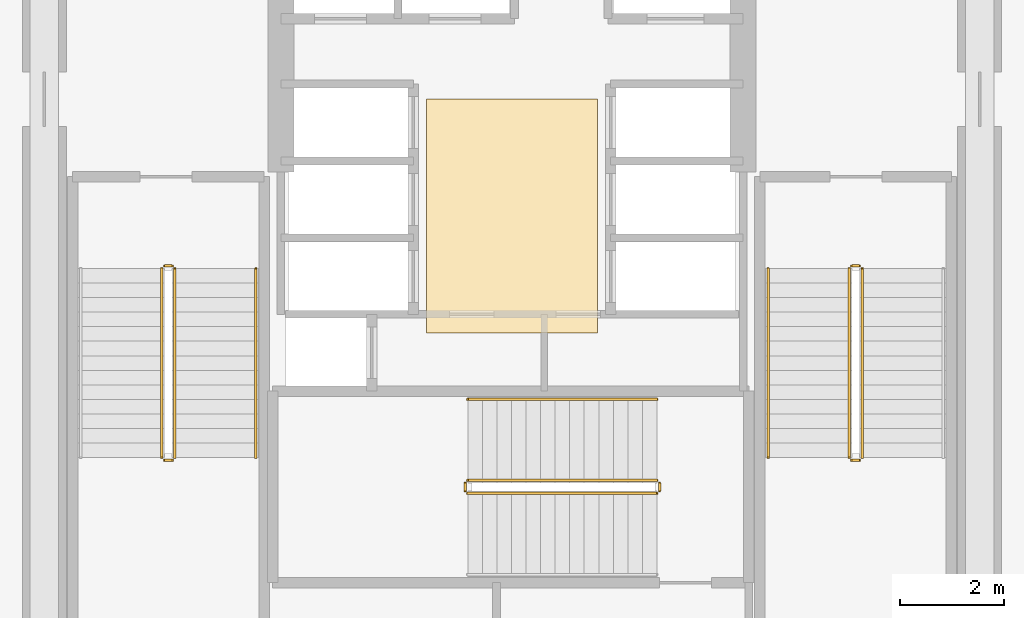
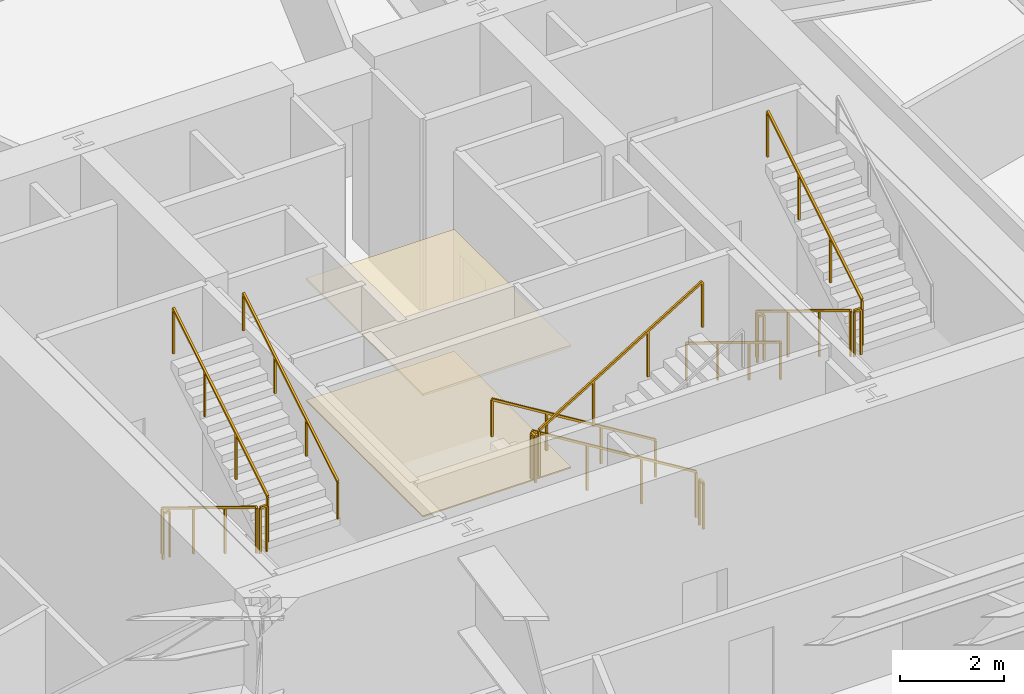
# One storey, part 21 of 22: 15 railings, 2 coverings.
"""IFC4 building model written with IfcOpenShell, lengths in metres."""

from ifc_helpers import new_model, si_unit, direction, frame, origin, origin_2d, place, context, subcontext, project, spatial, polyline, rectangle, outline, extrude, material, layer, layer_set, type_object, element, save


model = new_model("IFC4")

# Units and contexts
model_context = context("Model", 3, precision=1e-05, world=origin(), true_north=direction((0.0, 1.0)))
body_context = subcontext(model_context, "Body", "Model", "MODEL_VIEW")
ifc_project = project(units=[si_unit("LENGTHUNIT", "METRE"), si_unit("AREAUNIT", "SQUARE_METRE"), si_unit("VOLUMEUNIT", "CUBIC_METRE"), si_unit("PLANEANGLEUNIT", "RADIAN"), si_unit("MASSUNIT", "GRAM", prefix="KILO")], contexts=[model_context])

# Site, building, storey
site_placement = place(None, origin())
site = spatial("IfcSite", under=ifc_project, at=site_placement, CompositionType="ELEMENT")
building_placement = place(site_placement, origin())
building = spatial("IfcBuilding", under=site, at=building_placement, Name="Kilnhurst Terrace Hotel", CompositionType="ELEMENT")
storey_placement = place(building_placement, frame((0.0, 0.0, 139.5)))
storey = spatial("IfcBuildingStorey", under=building, at=storey_placement, Name="L34", CompositionType="ELEMENT", Elevation=139.5)

# Coverings
ifc_material_1 = material(Name="Perforated Micro-Acoustic Gypsum and Mineral Wool Ceiling")
ifc_layer_1 = layer(ifc_material_1, 0.050048828125, Name="Perforated Micro-Acoustic Gypsum and Mineral Wool Ceiling")
ifc_layer_set_1 = layer_set([ifc_layer_1], Name="Perforated Micro-Acoustic Gypsum and Mineral Wool Ceiling")
covering_type_1 = type_object("IfcCoveringType", Name="COV-CLG-AC60", PredefinedType="CEILING", material=ifc_layer_set_1)
covering_1_placement = place(storey_placement, frame((0.0, 0.0, 2.85009765625)))
element("IfcCovering", 1, at=covering_1_placement, inside=storey, type_object=covering_type_1, Name="L34 Lift Lobby Suspended Acoustic Ceiling", PredefinedType="CEILING", context=body_context, shape_type="SweptSolid", body=[
    extrude(outline(polyline([(-1.64990234375, -0.85009765625), (1.64990234375, -0.85009765625), (1.64990234375, 3.64990234375), (-1.64990234375, 3.64990234375), (-1.64990234375, -0.85009765625)])), origin(), (0.0, 0.0, 1.0), 0.0498046875),
])
ifc_material_2 = material(Name="Honed Texas Cream Limestone Tile Flooring", Category="masonry")
ifc_layer_2 = layer(ifc_material_2, 0.030029296875, Name="Honed Texas Cream Limestone Tile Flooring")
ifc_layer_set_2 = layer_set([ifc_layer_2], Name="Honed Texas Cream Limestone Tile Flooring")
covering_type_2 = type_object("IfcCoveringType", Name="COV-FLR-STN30", PredefinedType="FLOORING", material=ifc_layer_set_2)
covering_2_placement = place(storey_placement, origin())
element("IfcCovering", 2, at=covering_2_placement, inside=storey, type_object=covering_type_2, Name="L34 Lift Lobby Honed Limestone Flooring", PredefinedType="FLOORING", context=body_context, shape_type="SweptSolid", body=[
    extrude(outline(polyline([(-1.64990234375, -0.85009765625), (1.64990234375, -0.85009765625), (1.64990234375, 3.64990234375), (-1.64990234375, 3.64990234375), (-1.64990234375, -0.85009765625)])), origin(), (0.0, 0.0, 1.0), 0.030029296875),
])

# Railings
ifc_material_3 = material(Name="Powder-Coated Steel ASTM A500 Grade B", Category="steel")
ifc_layer_3 = layer(ifc_material_3, 0.050048828125, Name="Powder-Coated Steel ASTM A500 Grade B")
ifc_layer_set_3 = layer_set([ifc_layer_3], Name="Powder-Coated Steel ASTM A500 Grade B")
railing_type_1 = type_object("IfcRailingType", Name="RLG-ST-GRD-1100", PredefinedType="GUARDRAIL", material=ifc_layer_set_3)
railing_1_placement = place(storey_placement, frame((-6.739990234375, 0.389892578125, 0.17138671875)))
element("IfcRailing", 3, at=railing_1_placement, inside=storey, type_object=railing_type_1, Name="L34 ST-1 stair guard 1", PredefinedType="GUARDRAIL", context=body_context, shape_type="SweptSolid", body=[
    extrude(rectangle(XDim=0.048095703125, YDim=0.048095703125, at=origin_2d()), frame((0.0, 0.0, 1.076171875), z_axis=(0.0, -0.852850264322, 0.5221555579), x_axis=(1.0, 0.0, 0.0)), (0.0, 0.0, 1.0), 4.267822265625),
    extrude(rectangle(XDim=0.0419921875, YDim=0.0419921875, at=origin_2d()), origin(), (0.0, 0.0, 1.0), 1.052001953125),
    extrude(rectangle(XDim=0.0419921875, YDim=0.0419921875, at=origin_2d()), frame((0.0, -1.21337890625, 0.742919921875)), (0.0, 0.0, 1.0), 1.052001953125),
    extrude(rectangle(XDim=0.0419921875, YDim=0.0419921875, at=origin_2d()), frame((0.0, -2.426513671875, 1.485595703125)), (0.0, 0.0, 1.0), 1.052001953125),
    extrude(rectangle(XDim=0.0419921875, YDim=0.0419921875, at=origin_2d()), frame((0.0, -3.639892578125, 2.228515625)), (0.0, 0.0, 1.0), 1.052001953125),
])
railing_2_placement = place(storey_placement, frame((-6.68994140625, -3.300048828125, 2.39990234375)))
element("IfcRailing", 4, at=railing_2_placement, inside=storey, type_object=railing_type_1, Name="L34 ST-1 stair guard 2", PredefinedType="GUARDRAIL", context=body_context, shape_type="SweptSolid", body=[
    extrude(rectangle(XDim=0.048095703125, YDim=0.048095703125, at=origin_2d()), frame((0.0, 0.0, 1.076171875), z_axis=(1.0, 0.0, 0.0), x_axis=(0.0, 1.0, 0.0)), (0.0, 0.0, 1.0), 0.14990234375),
    extrude(rectangle(XDim=0.0419921875, YDim=0.0419921875, at=origin_2d()), origin(), (0.0, 0.0, 1.0), 1.052001953125),
    extrude(rectangle(XDim=0.0419921875, YDim=0.0419921875, at=origin_2d()), frame((0.14990234375, 0.0, 0.0)), (0.0, 0.0, 1.0), 1.052001953125),
])
railing_3_placement = place(storey_placement, frame((-6.489990234375, -3.25, 2.571533203125)))
element("IfcRailing", 5, at=railing_3_placement, inside=storey, type_object=railing_type_1, Name="L34 ST-1 stair guard 3", PredefinedType="GUARDRAIL", context=body_context, shape_type="SweptSolid", body=[
    extrude(rectangle(XDim=0.048095703125, YDim=0.048095703125, at=origin_2d()), frame((0.0, 0.0, 1.076171875), z_axis=(0.0, 0.852850264322, 0.5221555579), x_axis=(-1.0, 0.0, 0.0)), (0.0, 0.0, 1.0), 4.267822265625),
    extrude(rectangle(XDim=0.0419921875, YDim=0.0419921875, at=origin_2d()), origin(), (0.0, 0.0, 1.0), 1.052001953125),
    extrude(rectangle(XDim=0.0419921875, YDim=0.0419921875, at=origin_2d()), frame((0.0, 1.21337890625, 0.742919921875)), (0.0, 0.0, 1.0), 1.052001953125),
    extrude(rectangle(XDim=0.0419921875, YDim=0.0419921875, at=origin_2d()), frame((0.0, 2.426513671875, 1.485595703125)), (0.0, 0.0, 1.0), 1.052001953125),
    extrude(rectangle(XDim=0.0419921875, YDim=0.0419921875, at=origin_2d()), frame((0.0, 3.639892578125, 2.228515625)), (0.0, 0.0, 1.0), 1.052001953125),
])
railing_4_placement = place(storey_placement, frame((-6.68994140625, 0.43994140625, 0.0)))
element("IfcRailing", 6, at=railing_4_placement, inside=storey, type_object=railing_type_1, Name="L34 ST-1 stair guard 4", PredefinedType="GUARDRAIL", context=body_context, shape_type="SweptSolid", body=[
    extrude(rectangle(XDim=0.048095703125, YDim=0.048095703125, at=origin_2d()), frame((0.0, 0.0, 1.076171875), z_axis=(1.0, 0.0, 0.0), x_axis=(0.0, 1.0, 0.0)), (0.0, 0.0, 1.0), 0.14990234375),
    extrude(rectangle(XDim=0.0419921875, YDim=0.0419921875, at=origin_2d()), origin(), (0.0, 0.0, 1.0), 1.052001953125),
    extrude(rectangle(XDim=0.0419921875, YDim=0.0419921875, at=origin_2d()), frame((0.14990234375, 0.0, 0.0)), (0.0, 0.0, 1.0), 1.052001953125),
])
railing_5_placement = place(storey_placement, frame((6.489990234375, 0.389892578125, 0.17138671875)))
element("IfcRailing", 7, at=railing_5_placement, inside=storey, type_object=railing_type_1, Name="L34 ST-2 stair guard 1", PredefinedType="GUARDRAIL", context=body_context, shape_type="SweptSolid", body=[
    extrude(rectangle(XDim=0.048095703125, YDim=0.048095703125, at=origin_2d()), frame((0.0, 0.0, 1.076171875), z_axis=(0.0, -0.852850264322, 0.5221555579), x_axis=(1.0, 0.0, 0.0)), (0.0, 0.0, 1.0), 4.267822265625),
    extrude(rectangle(XDim=0.0419921875, YDim=0.0419921875, at=origin_2d()), origin(), (0.0, 0.0, 1.0), 1.052001953125),
    extrude(rectangle(XDim=0.0419921875, YDim=0.0419921875, at=origin_2d()), frame((0.0, -1.21337890625, 0.742919921875)), (0.0, 0.0, 1.0), 1.052001953125),
    extrude(rectangle(XDim=0.0419921875, YDim=0.0419921875, at=origin_2d()), frame((0.0, -2.426513671875, 1.485595703125)), (0.0, 0.0, 1.0), 1.052001953125),
    extrude(rectangle(XDim=0.0419921875, YDim=0.0419921875, at=origin_2d()), frame((0.0, -3.639892578125, 2.228515625)), (0.0, 0.0, 1.0), 1.052001953125),
])
railing_6_placement = place(storey_placement, frame((6.5400390625, -3.300048828125, 2.39990234375)))
element("IfcRailing", 8, at=railing_6_placement, inside=storey, type_object=railing_type_1, Name="L34 ST-2 stair guard 2", PredefinedType="GUARDRAIL", context=body_context, shape_type="SweptSolid", body=[
    extrude(rectangle(XDim=0.048095703125, YDim=0.048095703125, at=origin_2d()), frame((0.0, 0.0, 1.076171875), z_axis=(1.0, 0.0, 0.0), x_axis=(0.0, 1.0, 0.0)), (0.0, 0.0, 1.0), 0.14990234375),
    extrude(rectangle(XDim=0.0419921875, YDim=0.0419921875, at=origin_2d()), origin(), (0.0, 0.0, 1.0), 1.052001953125),
    extrude(rectangle(XDim=0.0419921875, YDim=0.0419921875, at=origin_2d()), frame((0.14990234375, 0.0, 0.0)), (0.0, 0.0, 1.0), 1.052001953125),
])
railing_7_placement = place(storey_placement, frame((6.739990234375, -3.25, 2.571533203125)))
element("IfcRailing", 9, at=railing_7_placement, inside=storey, type_object=railing_type_1, Name="L34 ST-2 stair guard 3", PredefinedType="GUARDRAIL", context=body_context, shape_type="SweptSolid", body=[
    extrude(rectangle(XDim=0.048095703125, YDim=0.048095703125, at=origin_2d()), frame((0.0, 0.0, 1.076171875), z_axis=(0.0, 0.852850264322, 0.5221555579), x_axis=(-1.0, 0.0, 0.0)), (0.0, 0.0, 1.0), 4.267822265625),
    extrude(rectangle(XDim=0.0419921875, YDim=0.0419921875, at=origin_2d()), origin(), (0.0, 0.0, 1.0), 1.052001953125),
    extrude(rectangle(XDim=0.0419921875, YDim=0.0419921875, at=origin_2d()), frame((0.0, 1.21337890625, 0.742919921875)), (0.0, 0.0, 1.0), 1.052001953125),
    extrude(rectangle(XDim=0.0419921875, YDim=0.0419921875, at=origin_2d()), frame((0.0, 2.426513671875, 1.485595703125)), (0.0, 0.0, 1.0), 1.052001953125),
    extrude(rectangle(XDim=0.0419921875, YDim=0.0419921875, at=origin_2d()), frame((0.0, 3.639892578125, 2.228515625)), (0.0, 0.0, 1.0), 1.052001953125),
])
railing_8_placement = place(storey_placement, frame((6.5400390625, 0.43994140625, 0.0)))
element("IfcRailing", 10, at=railing_8_placement, inside=storey, type_object=railing_type_1, Name="L34 ST-2 stair guard 4", PredefinedType="GUARDRAIL", context=body_context, shape_type="SweptSolid", body=[
    extrude(rectangle(XDim=0.048095703125, YDim=0.048095703125, at=origin_2d()), frame((0.0, 0.0, 1.076171875), z_axis=(1.0, 0.0, 0.0), x_axis=(0.0, 1.0, 0.0)), (0.0, 0.0, 1.0), 0.14990234375),
    extrude(rectangle(XDim=0.0419921875, YDim=0.0419921875, at=origin_2d()), origin(), (0.0, 0.0, 1.0), 1.052001953125),
    extrude(rectangle(XDim=0.0419921875, YDim=0.0419921875, at=origin_2d()), frame((0.14990234375, 0.0, 0.0)), (0.0, 0.0, 1.0), 1.052001953125),
])
railing_9_placement = place(storey_placement, frame((2.7900390625, -3.68994140625, 0.17138671875)))
element("IfcRailing", 11, at=railing_9_placement, inside=storey, type_object=railing_type_1, Name="L34 ST-3 stair guard 1", PredefinedType="GUARDRAIL", context=body_context, shape_type="SweptSolid", body=[
    extrude(rectangle(XDim=0.048095703125, YDim=0.048095703125, at=origin_2d()), frame((0.0, 0.0, 1.076171875), z_axis=(-0.852865859571, 0.0, 0.52213008492), x_axis=(0.0, -1.0, 0.0)), (0.0, 0.0, 1.0), 4.26806640625),
    extrude(rectangle(XDim=0.0419921875, YDim=0.0419921875, at=origin_2d()), origin(), (0.0, 0.0, 1.0), 1.052001953125),
    extrude(rectangle(XDim=0.0419921875, YDim=0.0419921875, at=origin_2d()), frame((-1.21337890625, 0.0, 0.742919921875)), (0.0, 0.0, 1.0), 1.052001953125),
    extrude(rectangle(XDim=0.0419921875, YDim=0.0419921875, at=origin_2d()), frame((-2.4267578125, 0.0, 1.485595703125)), (0.0, 0.0, 1.0), 1.052001953125),
    extrude(rectangle(XDim=0.0419921875, YDim=0.0419921875, at=origin_2d()), frame((-3.64013671875, 0.0, 2.228515625)), (0.0, 0.0, 1.0), 1.052001953125),
])
railing_10_placement = place(storey_placement, frame((-0.89990234375, -3.739990234375, 2.39990234375)))
element("IfcRailing", 12, at=railing_10_placement, inside=storey, type_object=railing_type_1, Name="L34 ST-3 stair guard 2", PredefinedType="GUARDRAIL", context=body_context, shape_type="SweptSolid", body=[
    extrude(rectangle(XDim=0.048095703125, YDim=0.048095703125, at=origin_2d()), frame((0.0, 0.0, 1.076171875), z_axis=(0.0, -1.0, 0.0), x_axis=(1.0, 0.0, 0.0)), (0.0, 0.0, 1.0), 0.14990234375),
    extrude(rectangle(XDim=0.0419921875, YDim=0.0419921875, at=origin_2d()), origin(), (0.0, 0.0, 1.0), 1.052001953125),
    extrude(rectangle(XDim=0.0419921875, YDim=0.0419921875, at=origin_2d()), frame((0.0, -0.14990234375, 0.0)), (0.0, 0.0, 1.0), 1.052001953125),
])
railing_11_placement = place(storey_placement, frame((-0.85009765625, -3.93994140625, 2.571533203125)))
element("IfcRailing", 13, at=railing_11_placement, inside=storey, type_object=railing_type_1, Name="L34 ST-3 stair guard 3", PredefinedType="GUARDRAIL", context=body_context, shape_type="SweptSolid", body=[
    extrude(rectangle(XDim=0.048095703125, YDim=0.048095703125, at=origin_2d()), frame((0.0, 0.0, 1.076171875), z_axis=(0.852865859571, 0.0, 0.52213008492), x_axis=(0.0, 1.0, 0.0)), (0.0, 0.0, 1.0), 4.26806640625),
    extrude(rectangle(XDim=0.0419921875, YDim=0.0419921875, at=origin_2d()), origin(), (0.0, 0.0, 1.0), 1.052001953125),
    extrude(rectangle(XDim=0.0419921875, YDim=0.0419921875, at=origin_2d()), frame((1.21337890625, 0.0, 0.742919921875)), (0.0, 0.0, 1.0), 1.052001953125),
    extrude(rectangle(XDim=0.0419921875, YDim=0.0419921875, at=origin_2d()), frame((2.4267578125, 0.0, 1.485595703125)), (0.0, 0.0, 1.0), 1.052001953125),
    extrude(rectangle(XDim=0.0419921875, YDim=0.0419921875, at=origin_2d()), frame((3.64013671875, 0.0, 2.228515625)), (0.0, 0.0, 1.0), 1.052001953125),
])
railing_12_placement = place(storey_placement, frame((2.840087890625, -3.739990234375, 0.0)))
element("IfcRailing", 14, at=railing_12_placement, inside=storey, type_object=railing_type_1, Name="L34 ST-3 stair guard 4", PredefinedType="GUARDRAIL", context=body_context, shape_type="SweptSolid", body=[
    extrude(rectangle(XDim=0.048095703125, YDim=0.048095703125, at=origin_2d()), frame((0.0, 0.0, 1.076171875), z_axis=(0.0, -1.0, 0.0), x_axis=(1.0, 0.0, 0.0)), (0.0, 0.0, 1.0), 0.14990234375),
    extrude(rectangle(XDim=0.0419921875, YDim=0.0419921875, at=origin_2d()), origin(), (0.0, 0.0, 1.0), 1.052001953125),
    extrude(rectangle(XDim=0.0419921875, YDim=0.0419921875, at=origin_2d()), frame((0.0, -0.14990234375, 0.0)), (0.0, 0.0, 1.0), 1.052001953125),
])
ifc_material_4 = material(Name="Brushed Stainless Steel AISI 304", Category="steel")
ifc_layer_4 = layer(ifc_material_4, 0.048095703125, Name="Brushed Stainless Steel AISI 304")
ifc_layer_set_4 = layer_set([ifc_layer_4], Name="Brushed Stainless Steel AISI 304")
railing_type_2 = type_object("IfcRailingType", Name="RLG-ST-HRL-900", PredefinedType="HANDRAIL", material=ifc_layer_set_4)
railing_13_placement = place(storey_placement, frame((-4.929931640625, -3.25, 2.571533203125)))
element("IfcRailing", 15, at=railing_13_placement, inside=storey, type_object=railing_type_2, Name="L34 ST-1 stair handrail 2", PredefinedType="HANDRAIL", context=body_context, shape_type="SweptSolid", body=[
    extrude(rectangle(XDim=0.048095703125, YDim=0.048095703125, at=origin_2d()), frame((0.0, 0.0, 0.8759765625), z_axis=(0.0, 0.852850264322, 0.5221555579), x_axis=(-1.0, 0.0, 0.0)), (0.0, 0.0, 1.0), 4.267822265625),
    extrude(rectangle(XDim=0.0419921875, YDim=0.0419921875, at=origin_2d()), origin(), (0.0, 0.0, 1.0), 0.851806640625),
    extrude(rectangle(XDim=0.0419921875, YDim=0.0419921875, at=origin_2d()), frame((0.0, 1.21337890625, 0.742919921875)), (0.0, 0.0, 1.0), 0.851806640625),
    extrude(rectangle(XDim=0.0419921875, YDim=0.0419921875, at=origin_2d()), frame((0.0, 2.426513671875, 1.485595703125)), (0.0, 0.0, 1.0), 0.851806640625),
    extrude(rectangle(XDim=0.0419921875, YDim=0.0419921875, at=origin_2d()), frame((0.0, 3.639892578125, 2.228515625)), (0.0, 0.0, 1.0), 0.851806640625),
])
railing_14_placement = place(storey_placement, frame((4.929931640625, 0.389892578125, 0.17138671875)))
element("IfcRailing", 16, at=railing_14_placement, inside=storey, type_object=railing_type_2, Name="L34 ST-2 stair handrail 1", PredefinedType="HANDRAIL", context=body_context, shape_type="SweptSolid", body=[
    extrude(rectangle(XDim=0.048095703125, YDim=0.048095703125, at=origin_2d()), frame((0.0, 0.0, 0.8759765625), z_axis=(0.0, -0.852850264322, 0.5221555579), x_axis=(1.0, 0.0, 0.0)), (0.0, 0.0, 1.0), 4.267822265625),
    extrude(rectangle(XDim=0.0419921875, YDim=0.0419921875, at=origin_2d()), origin(), (0.0, 0.0, 1.0), 0.851806640625),
    extrude(rectangle(XDim=0.0419921875, YDim=0.0419921875, at=origin_2d()), frame((0.0, -1.21337890625, 0.742919921875)), (0.0, 0.0, 1.0), 0.851806640625),
    extrude(rectangle(XDim=0.0419921875, YDim=0.0419921875, at=origin_2d()), frame((0.0, -2.426513671875, 1.485595703125)), (0.0, 0.0, 1.0), 0.851806640625),
    extrude(rectangle(XDim=0.0419921875, YDim=0.0419921875, at=origin_2d()), frame((0.0, -3.639892578125, 2.228515625)), (0.0, 0.0, 1.0), 0.851806640625),
])
railing_15_placement = place(storey_placement, frame((2.7900390625, -2.1298828125, 0.17138671875)))
element("IfcRailing", 17, at=railing_15_placement, inside=storey, type_object=railing_type_2, Name="L34 ST-3 stair handrail 1", PredefinedType="HANDRAIL", context=body_context, shape_type="SweptSolid", body=[
    extrude(rectangle(XDim=0.048095703125, YDim=0.048095703125, at=origin_2d()), frame((0.0, 0.0, 0.8759765625), z_axis=(-0.852865859571, 0.0, 0.52213008492), x_axis=(0.0, -1.0, 0.0)), (0.0, 0.0, 1.0), 4.26806640625),
    extrude(rectangle(XDim=0.0419921875, YDim=0.0419921875, at=origin_2d()), origin(), (0.0, 0.0, 1.0), 0.851806640625),
    extrude(rectangle(XDim=0.0419921875, YDim=0.0419921875, at=origin_2d()), frame((-1.21337890625, 0.0, 0.742919921875)), (0.0, 0.0, 1.0), 0.851806640625),
    extrude(rectangle(XDim=0.0419921875, YDim=0.0419921875, at=origin_2d()), frame((-2.4267578125, 0.0, 1.485595703125)), (0.0, 0.0, 1.0), 0.851806640625),
    extrude(rectangle(XDim=0.0419921875, YDim=0.0419921875, at=origin_2d()), frame((-3.64013671875, 0.0, 2.228515625)), (0.0, 0.0, 1.0), 0.851806640625),
])

save(model, "model.ifc")
